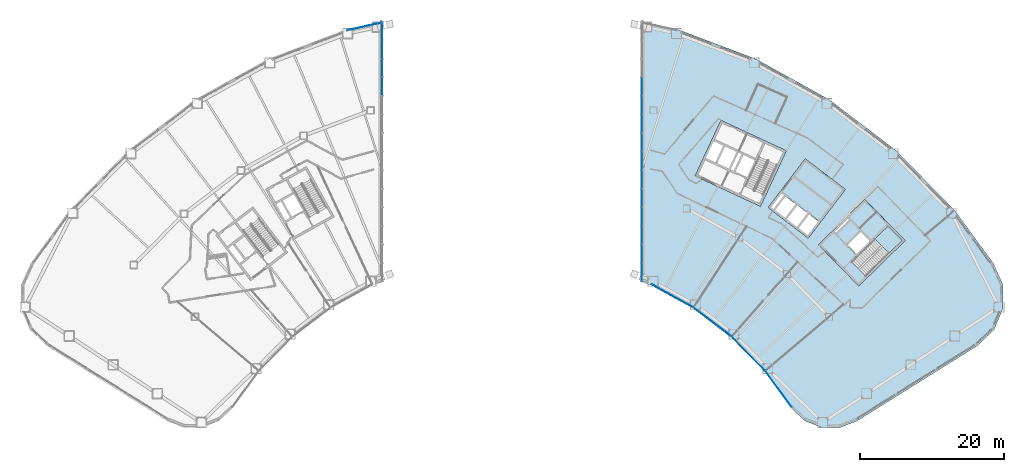
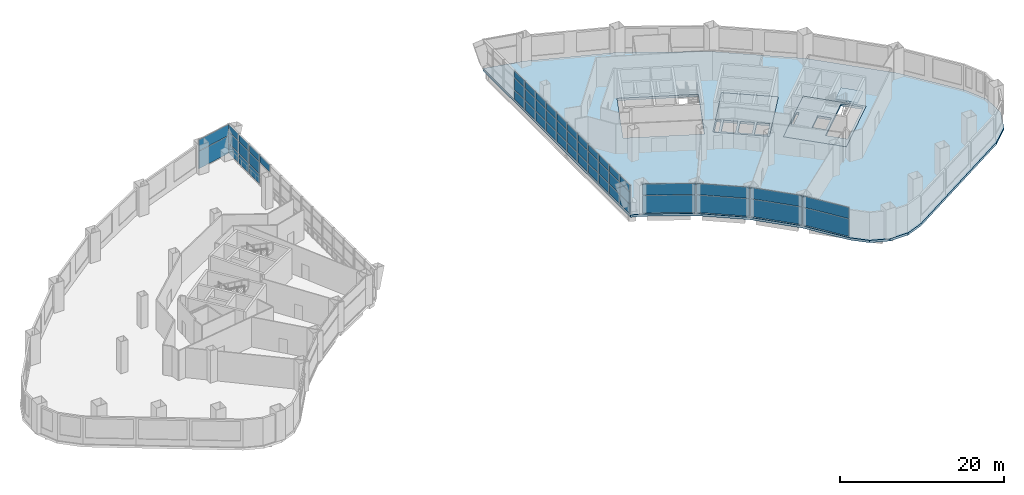
# One storey, part 17 of 26: 53 plates, 4 slabs, 14 elements without a shape of their own.
"""IFC4 building model written with IfcOpenShell, lengths in metres."""

from ifc_helpers import new_model, si_unit, direction, frame, origin, origin_2d, place, context, subcontext, project, spatial, polyline, rectangle, outline, extrude, material, layer, layer_set, type_object, element, aggregate, save


model = new_model("IFC4")

# Units and contexts
model_context = context("Model", 3, precision=1e-05, world=origin(), true_north=direction((0.0, 1.0)))
body_context = subcontext(model_context, "Body", "Model", "MODEL_VIEW")
ifc_project = project(units=[si_unit("LENGTHUNIT", "METRE"), si_unit("AREAUNIT", "SQUARE_METRE"), si_unit("VOLUMEUNIT", "CUBIC_METRE"), si_unit("PLANEANGLEUNIT", "RADIAN"), si_unit("MASSUNIT", "GRAM", prefix="KILO")], contexts=[model_context])

# Site, building, storey
site_placement = place(None, origin())
site = spatial("IfcSite", under=ifc_project, at=site_placement, CompositionType="ELEMENT")
building_placement = place(site_placement, origin())
building = spatial("IfcBuilding", under=site, at=building_placement, Name="Tuul Gate Civic Tower", CompositionType="ELEMENT")
storey_placement = place(building_placement, frame((0.0, 0.0, 7.5)))
storey = spatial("IfcBuildingStorey", under=building, at=storey_placement, Name="Level 01", CompositionType="ELEMENT", Elevation=7.5)

# Curtain wall, plates
ifc_material_1 = material(Name="Stainless steel", Category="steel")
ifc_layer_1 = layer(ifc_material_1, 0.199951171875)
ifc_layer_set_1 = layer_set([ifc_layer_1], Name="Stainless steel")
curtain_wall_type_1 = type_object("IfcCurtainWallType", Name="Curtain wall CW2", PredefinedType="NOTDEFINED", material=ifc_layer_set_1)
curtain_wall_1_placement = place(storey_placement, origin())
curtain_wall_1 = element("IfcCurtainWall", 1, at=curtain_wall_1_placement, inside=storey, type_object=curtain_wall_type_1, Name="Curtain wall CW2", PredefinedType="NOTDEFINED")
ifc_material_2 = material(Name="Laminated glass", Category="glass")
ifc_layer_2 = layer(ifc_material_2, 0.0439453125)
ifc_layer_set_2 = layer_set([ifc_layer_2], Name="Laminated glass")
plate_type_1 = type_object("IfcPlateType", Name="CW2 panel", PredefinedType="CURTAIN_PANEL", material=ifc_layer_set_2)
plate_1_placement = place(storey_placement, frame((-18.0, 9.259765625, 3.33984375), z_axis=(0.0, 0.0, 1.0), x_axis=(0.0, 1.0, 0.0)))
plate_1 = element("IfcPlate", 2, at=plate_1_placement, type_object=plate_type_1, Name="Panel", PredefinedType="CURTAIN_PANEL", context=body_context, shape_type="SweptSolid", body=[
    extrude(rectangle(XDim=2.458740234375, YDim=0.0439453125, at=origin_2d()), origin(), (0.0, 0.0, 1.0), 1.030029296875),
])
plate_2_placement = place(storey_placement, frame((-18.0, 11.79833984375, 0.080078125), z_axis=(0.0, 0.0, 1.0), x_axis=(0.0, 1.0, 0.0)))
plate_2 = element("IfcPlate", 3, at=plate_2_placement, type_object=plate_type_1, Name="Panel", PredefinedType="CURTAIN_PANEL", context=body_context, shape_type="SweptSolid", body=[
    extrude(rectangle(XDim=2.458740234375, YDim=0.0439453125, at=origin_2d()), origin(), (0.0, 0.0, 1.0), 1.3798828125),
])
plate_3_placement = place(storey_placement, frame((-18.0, 11.79833984375, 1.5400390625), z_axis=(0.0, 0.0, 1.0), x_axis=(0.0, 1.0, 0.0)))
plate_3 = element("IfcPlate", 4, at=plate_3_placement, type_object=plate_type_1, Name="Panel", PredefinedType="CURTAIN_PANEL", context=body_context, shape_type="SweptSolid", body=[
    extrude(rectangle(XDim=2.458740234375, YDim=0.0439453125, at=origin_2d()), origin(), (0.0, 0.0, 1.0), 1.719970703125),
])
plate_4_placement = place(storey_placement, frame((-18.0, 11.79833984375, 3.33984375), z_axis=(0.0, 0.0, 1.0), x_axis=(0.0, 1.0, 0.0)))
plate_4 = element("IfcPlate", 5, at=plate_4_placement, type_object=plate_type_1, Name="Panel", PredefinedType="CURTAIN_PANEL", context=body_context, shape_type="SweptSolid", body=[
    extrude(rectangle(XDim=2.458740234375, YDim=0.0439453125, at=origin_2d()), origin(), (0.0, 0.0, 1.0), 1.030029296875),
])
aggregate(curtain_wall_1, [plate_1, plate_2, plate_3, plate_4])

curtain_wall_2_placement = place(storey_placement, origin())
curtain_wall_2 = element("IfcCurtainWall", 6, at=curtain_wall_2_placement, inside=storey, type_object=curtain_wall_type_1, Name="Curtain wall CW2", PredefinedType="NOTDEFINED")
plate_5_placement = place(storey_placement, frame((-18.0, 14.4169921875, 0.080078125), z_axis=(0.0, 0.0, 1.0), x_axis=(0.0, 1.0, 0.0)))
plate_5 = element("IfcPlate", 7, at=plate_5_placement, type_object=plate_type_1, Name="Panel", PredefinedType="CURTAIN_PANEL", context=body_context, shape_type="SweptSolid", body=[
    extrude(rectangle(XDim=2.458740234375, YDim=0.0439453125, at=origin_2d()), origin(), (0.0, 0.0, 1.0), 1.3798828125),
])
plate_6_placement = place(storey_placement, frame((-18.0, 14.4169921875, 1.5400390625), z_axis=(0.0, 0.0, 1.0), x_axis=(0.0, 1.0, 0.0)))
plate_6 = element("IfcPlate", 8, at=plate_6_placement, type_object=plate_type_1, Name="Panel", PredefinedType="CURTAIN_PANEL", context=body_context, shape_type="SweptSolid", body=[
    extrude(rectangle(XDim=2.458740234375, YDim=0.0439453125, at=origin_2d()), origin(), (0.0, 0.0, 1.0), 1.719970703125),
])
plate_7_placement = place(storey_placement, frame((-18.0, 14.4169921875, 3.33984375), z_axis=(0.0, 0.0, 1.0), x_axis=(0.0, 1.0, 0.0)))
plate_7 = element("IfcPlate", 9, at=plate_7_placement, type_object=plate_type_1, Name="Panel", PredefinedType="CURTAIN_PANEL", context=body_context, shape_type="SweptSolid", body=[
    extrude(rectangle(XDim=2.458740234375, YDim=0.0439453125, at=origin_2d()), origin(), (0.0, 0.0, 1.0), 1.030029296875),
])
plate_8_placement = place(storey_placement, frame((-18.0, 16.95556640625, 0.080078125), z_axis=(0.0, 0.0, 1.0), x_axis=(0.0, 1.0, 0.0)))
plate_8 = element("IfcPlate", 10, at=plate_8_placement, type_object=plate_type_1, Name="Panel", PredefinedType="CURTAIN_PANEL", context=body_context, shape_type="SweptSolid", body=[
    extrude(rectangle(XDim=2.458740234375, YDim=0.0439453125, at=origin_2d()), origin(), (0.0, 0.0, 1.0), 1.3798828125),
])
plate_9_placement = place(storey_placement, frame((-18.0, 16.95556640625, 1.5400390625), z_axis=(0.0, 0.0, 1.0), x_axis=(0.0, 1.0, 0.0)))
plate_9 = element("IfcPlate", 11, at=plate_9_placement, type_object=plate_type_1, Name="Panel", PredefinedType="CURTAIN_PANEL", context=body_context, shape_type="SweptSolid", body=[
    extrude(rectangle(XDim=2.458740234375, YDim=0.0439453125, at=origin_2d()), origin(), (0.0, 0.0, 1.0), 1.719970703125),
])
plate_10_placement = place(storey_placement, frame((-18.0, 16.95556640625, 3.33984375), z_axis=(0.0, 0.0, 1.0), x_axis=(0.0, 1.0, 0.0)))
plate_10 = element("IfcPlate", 12, at=plate_10_placement, type_object=plate_type_1, Name="Panel", PredefinedType="CURTAIN_PANEL", context=body_context, shape_type="SweptSolid", body=[
    extrude(rectangle(XDim=2.458740234375, YDim=0.0439453125, at=origin_2d()), origin(), (0.0, 0.0, 1.0), 1.030029296875),
])
aggregate(curtain_wall_2, [plate_5, plate_6, plate_7, plate_8, plate_9, plate_10])

curtain_wall_3_placement = place(storey_placement, origin())
curtain_wall_3 = element("IfcCurtainWall", 13, at=curtain_wall_3_placement, inside=storey, type_object=curtain_wall_type_1, Name="Curtain wall CW2", PredefinedType="NOTDEFINED")
plate_11_placement = place(storey_placement, frame((18.0, -16.526611328125, 0.080078125), z_axis=(0.0, 0.0, 1.0), x_axis=(0.0, 1.0, 0.0)))
plate_11 = element("IfcPlate", 14, at=plate_11_placement, type_object=plate_type_1, Name="Panel", PredefinedType="CURTAIN_PANEL", context=body_context, shape_type="SweptSolid", body=[
    extrude(rectangle(XDim=2.458740234375, YDim=0.0439453125, at=origin_2d()), origin(), (0.0, 0.0, 1.0), 1.3798828125),
])
plate_12_placement = place(storey_placement, frame((18.0, -16.526611328125, 1.5400390625), z_axis=(0.0, 0.0, 1.0), x_axis=(0.0, 1.0, 0.0)))
plate_12 = element("IfcPlate", 15, at=plate_12_placement, type_object=plate_type_1, Name="Panel", PredefinedType="CURTAIN_PANEL", context=body_context, shape_type="SweptSolid", body=[
    extrude(rectangle(XDim=2.458740234375, YDim=0.0439453125, at=origin_2d()), origin(), (0.0, 0.0, 1.0), 1.719970703125),
])
plate_13_placement = place(storey_placement, frame((18.0, -16.526611328125, 3.33984375), z_axis=(0.0, 0.0, 1.0), x_axis=(0.0, 1.0, 0.0)))
plate_13 = element("IfcPlate", 16, at=plate_13_placement, type_object=plate_type_1, Name="Panel", PredefinedType="CURTAIN_PANEL", context=body_context, shape_type="SweptSolid", body=[
    extrude(rectangle(XDim=2.458740234375, YDim=0.0439453125, at=origin_2d()), origin(), (0.0, 0.0, 1.0), 1.030029296875),
])
plate_14_placement = place(storey_placement, frame((18.0, -13.988037109375, 0.080078125), z_axis=(0.0, 0.0, 1.0), x_axis=(0.0, 1.0, 0.0)))
plate_14 = element("IfcPlate", 17, at=plate_14_placement, type_object=plate_type_1, Name="Panel", PredefinedType="CURTAIN_PANEL", context=body_context, shape_type="SweptSolid", body=[
    extrude(rectangle(XDim=2.458740234375, YDim=0.0439453125, at=origin_2d()), origin(), (0.0, 0.0, 1.0), 1.3798828125),
])
plate_15_placement = place(storey_placement, frame((18.0, -13.988037109375, 1.5400390625), z_axis=(0.0, 0.0, 1.0), x_axis=(0.0, 1.0, 0.0)))
plate_15 = element("IfcPlate", 18, at=plate_15_placement, type_object=plate_type_1, Name="Panel", PredefinedType="CURTAIN_PANEL", context=body_context, shape_type="SweptSolid", body=[
    extrude(rectangle(XDim=2.458740234375, YDim=0.0439453125, at=origin_2d()), origin(), (0.0, 0.0, 1.0), 1.719970703125),
])
plate_16_placement = place(storey_placement, frame((18.0, -13.988037109375, 3.33984375), z_axis=(0.0, 0.0, 1.0), x_axis=(0.0, 1.0, 0.0)))
plate_16 = element("IfcPlate", 19, at=plate_16_placement, type_object=plate_type_1, Name="Panel", PredefinedType="CURTAIN_PANEL", context=body_context, shape_type="SweptSolid", body=[
    extrude(rectangle(XDim=2.458740234375, YDim=0.0439453125, at=origin_2d()), origin(), (0.0, 0.0, 1.0), 1.030029296875),
])
aggregate(curtain_wall_3, [plate_11, plate_12, plate_13, plate_14, plate_15, plate_16])

curtain_wall_4_placement = place(storey_placement, origin())
curtain_wall_4 = element("IfcCurtainWall", 20, at=curtain_wall_4_placement, inside=storey, type_object=curtain_wall_type_1, Name="Curtain wall CW2", PredefinedType="NOTDEFINED")
plate_17_placement = place(storey_placement, frame((18.0, -11.369384765625, 0.080078125), z_axis=(0.0, 0.0, 1.0), x_axis=(0.0, 1.0, 0.0)))
plate_17 = element("IfcPlate", 21, at=plate_17_placement, type_object=plate_type_1, Name="Panel", PredefinedType="CURTAIN_PANEL", context=body_context, shape_type="SweptSolid", body=[
    extrude(rectangle(XDim=2.458740234375, YDim=0.0439453125, at=origin_2d()), origin(), (0.0, 0.0, 1.0), 1.3798828125),
])
plate_18_placement = place(storey_placement, frame((18.0, -11.369384765625, 1.5400390625), z_axis=(0.0, 0.0, 1.0), x_axis=(0.0, 1.0, 0.0)))
plate_18 = element("IfcPlate", 22, at=plate_18_placement, type_object=plate_type_1, Name="Panel", PredefinedType="CURTAIN_PANEL", context=body_context, shape_type="SweptSolid", body=[
    extrude(rectangle(XDim=2.458740234375, YDim=0.0439453125, at=origin_2d()), origin(), (0.0, 0.0, 1.0), 1.719970703125),
])
plate_19_placement = place(storey_placement, frame((18.0, -11.369384765625, 3.33984375), z_axis=(0.0, 0.0, 1.0), x_axis=(0.0, 1.0, 0.0)))
plate_19 = element("IfcPlate", 23, at=plate_19_placement, type_object=plate_type_1, Name="Panel", PredefinedType="CURTAIN_PANEL", context=body_context, shape_type="SweptSolid", body=[
    extrude(rectangle(XDim=2.458740234375, YDim=0.0439453125, at=origin_2d()), origin(), (0.0, 0.0, 1.0), 1.030029296875),
])
plate_20_placement = place(storey_placement, frame((18.0, -8.830810546875, 0.080078125), z_axis=(0.0, 0.0, 1.0), x_axis=(0.0, 1.0, 0.0)))
plate_20 = element("IfcPlate", 24, at=plate_20_placement, type_object=plate_type_1, Name="Panel", PredefinedType="CURTAIN_PANEL", context=body_context, shape_type="SweptSolid", body=[
    extrude(rectangle(XDim=2.458740234375, YDim=0.0439453125, at=origin_2d()), origin(), (0.0, 0.0, 1.0), 1.3798828125),
])
plate_21_placement = place(storey_placement, frame((18.0, -8.830810546875, 1.5400390625), z_axis=(0.0, 0.0, 1.0), x_axis=(0.0, 1.0, 0.0)))
plate_21 = element("IfcPlate", 25, at=plate_21_placement, type_object=plate_type_1, Name="Panel", PredefinedType="CURTAIN_PANEL", context=body_context, shape_type="SweptSolid", body=[
    extrude(rectangle(XDim=2.458740234375, YDim=0.0439453125, at=origin_2d()), origin(), (0.0, 0.0, 1.0), 1.719970703125),
])
plate_22_placement = place(storey_placement, frame((18.0, -8.830810546875, 3.33984375), z_axis=(0.0, 0.0, 1.0), x_axis=(0.0, 1.0, 0.0)))
plate_22 = element("IfcPlate", 26, at=plate_22_placement, type_object=plate_type_1, Name="Panel", PredefinedType="CURTAIN_PANEL", context=body_context, shape_type="SweptSolid", body=[
    extrude(rectangle(XDim=2.458740234375, YDim=0.0439453125, at=origin_2d()), origin(), (0.0, 0.0, 1.0), 1.030029296875),
])
aggregate(curtain_wall_4, [plate_17, plate_18, plate_19, plate_20, plate_21, plate_22])

curtain_wall_5_placement = place(storey_placement, origin())
curtain_wall_5 = element("IfcCurtainWall", 27, at=curtain_wall_5_placement, inside=storey, type_object=curtain_wall_type_1, Name="Curtain wall CW2", PredefinedType="NOTDEFINED")
plate_23_placement = place(storey_placement, frame((18.0, -6.212158203125, 0.080078125), z_axis=(0.0, 0.0, 1.0), x_axis=(0.0, 1.0, 0.0)))
plate_23 = element("IfcPlate", 28, at=plate_23_placement, type_object=plate_type_1, Name="Panel", PredefinedType="CURTAIN_PANEL", context=body_context, shape_type="SweptSolid", body=[
    extrude(rectangle(XDim=2.458740234375, YDim=0.0439453125, at=origin_2d()), origin(), (0.0, 0.0, 1.0), 1.3798828125),
])
plate_24_placement = place(storey_placement, frame((18.0, -6.212158203125, 1.5400390625), z_axis=(0.0, 0.0, 1.0), x_axis=(0.0, 1.0, 0.0)))
plate_24 = element("IfcPlate", 29, at=plate_24_placement, type_object=plate_type_1, Name="Panel", PredefinedType="CURTAIN_PANEL", context=body_context, shape_type="SweptSolid", body=[
    extrude(rectangle(XDim=2.458740234375, YDim=0.0439453125, at=origin_2d()), origin(), (0.0, 0.0, 1.0), 1.719970703125),
])
plate_25_placement = place(storey_placement, frame((18.0, -6.212158203125, 3.33984375), z_axis=(0.0, 0.0, 1.0), x_axis=(0.0, 1.0, 0.0)))
plate_25 = element("IfcPlate", 30, at=plate_25_placement, type_object=plate_type_1, Name="Panel", PredefinedType="CURTAIN_PANEL", context=body_context, shape_type="SweptSolid", body=[
    extrude(rectangle(XDim=2.458740234375, YDim=0.0439453125, at=origin_2d()), origin(), (0.0, 0.0, 1.0), 1.030029296875),
])
plate_26_placement = place(storey_placement, frame((18.0, -3.673583984375, 0.080078125), z_axis=(0.0, 0.0, 1.0), x_axis=(0.0, 1.0, 0.0)))
plate_26 = element("IfcPlate", 31, at=plate_26_placement, type_object=plate_type_1, Name="Panel", PredefinedType="CURTAIN_PANEL", context=body_context, shape_type="SweptSolid", body=[
    extrude(rectangle(XDim=2.458740234375, YDim=0.0439453125, at=origin_2d()), origin(), (0.0, 0.0, 1.0), 1.3798828125),
])
plate_27_placement = place(storey_placement, frame((18.0, -3.673583984375, 1.5400390625), z_axis=(0.0, 0.0, 1.0), x_axis=(0.0, 1.0, 0.0)))
plate_27 = element("IfcPlate", 32, at=plate_27_placement, type_object=plate_type_1, Name="Panel", PredefinedType="CURTAIN_PANEL", context=body_context, shape_type="SweptSolid", body=[
    extrude(rectangle(XDim=2.458740234375, YDim=0.0439453125, at=origin_2d()), origin(), (0.0, 0.0, 1.0), 1.719970703125),
])
plate_28_placement = place(storey_placement, frame((18.0, -3.673583984375, 3.33984375), z_axis=(0.0, 0.0, 1.0), x_axis=(0.0, 1.0, 0.0)))
plate_28 = element("IfcPlate", 33, at=plate_28_placement, type_object=plate_type_1, Name="Panel", PredefinedType="CURTAIN_PANEL", context=body_context, shape_type="SweptSolid", body=[
    extrude(rectangle(XDim=2.458740234375, YDim=0.0439453125, at=origin_2d()), origin(), (0.0, 0.0, 1.0), 1.030029296875),
])
aggregate(curtain_wall_5, [plate_23, plate_24, plate_25, plate_26, plate_27, plate_28])

curtain_wall_6_placement = place(storey_placement, origin())
curtain_wall_6 = element("IfcCurtainWall", 34, at=curtain_wall_6_placement, inside=storey, type_object=curtain_wall_type_1, Name="Curtain wall CW2", PredefinedType="NOTDEFINED")
plate_29_placement = place(storey_placement, frame((18.0, -1.054931640625, 0.080078125), z_axis=(0.0, 0.0, 1.0), x_axis=(0.0, 1.0, 0.0)))
plate_29 = element("IfcPlate", 35, at=plate_29_placement, type_object=plate_type_1, Name="Panel", PredefinedType="CURTAIN_PANEL", context=body_context, shape_type="SweptSolid", body=[
    extrude(rectangle(XDim=2.458740234375, YDim=0.0439453125, at=origin_2d()), origin(), (0.0, 0.0, 1.0), 1.3798828125),
])
plate_30_placement = place(storey_placement, frame((18.0, -1.054931640625, 1.5400390625), z_axis=(0.0, 0.0, 1.0), x_axis=(0.0, 1.0, 0.0)))
plate_30 = element("IfcPlate", 36, at=plate_30_placement, type_object=plate_type_1, Name="Panel", PredefinedType="CURTAIN_PANEL", context=body_context, shape_type="SweptSolid", body=[
    extrude(rectangle(XDim=2.458740234375, YDim=0.0439453125, at=origin_2d()), origin(), (0.0, 0.0, 1.0), 1.719970703125),
])
plate_31_placement = place(storey_placement, frame((18.0, -1.054931640625, 3.33984375), z_axis=(0.0, 0.0, 1.0), x_axis=(0.0, 1.0, 0.0)))
plate_31 = element("IfcPlate", 37, at=plate_31_placement, type_object=plate_type_1, Name="Panel", PredefinedType="CURTAIN_PANEL", context=body_context, shape_type="SweptSolid", body=[
    extrude(rectangle(XDim=2.458740234375, YDim=0.0439453125, at=origin_2d()), origin(), (0.0, 0.0, 1.0), 1.030029296875),
])
plate_32_placement = place(storey_placement, frame((18.0, 1.48388671875, 0.080078125), z_axis=(0.0, 0.0, 1.0), x_axis=(0.0, 1.0, 0.0)))
plate_32 = element("IfcPlate", 38, at=plate_32_placement, type_object=plate_type_1, Name="Panel", PredefinedType="CURTAIN_PANEL", context=body_context, shape_type="SweptSolid", body=[
    extrude(rectangle(XDim=2.458740234375, YDim=0.0439453125, at=origin_2d()), origin(), (0.0, 0.0, 1.0), 1.3798828125),
])
plate_33_placement = place(storey_placement, frame((18.0, 1.48388671875, 1.5400390625), z_axis=(0.0, 0.0, 1.0), x_axis=(0.0, 1.0, 0.0)))
plate_33 = element("IfcPlate", 39, at=plate_33_placement, type_object=plate_type_1, Name="Panel", PredefinedType="CURTAIN_PANEL", context=body_context, shape_type="SweptSolid", body=[
    extrude(rectangle(XDim=2.458740234375, YDim=0.0439453125, at=origin_2d()), origin(), (0.0, 0.0, 1.0), 1.719970703125),
])
plate_34_placement = place(storey_placement, frame((18.0, 1.48388671875, 3.33984375), z_axis=(0.0, 0.0, 1.0), x_axis=(0.0, 1.0, 0.0)))
plate_34 = element("IfcPlate", 40, at=plate_34_placement, type_object=plate_type_1, Name="Panel", PredefinedType="CURTAIN_PANEL", context=body_context, shape_type="SweptSolid", body=[
    extrude(rectangle(XDim=2.458740234375, YDim=0.0439453125, at=origin_2d()), origin(), (0.0, 0.0, 1.0), 1.030029296875),
])
aggregate(curtain_wall_6, [plate_29, plate_30, plate_31, plate_32, plate_33, plate_34])

curtain_wall_7_placement = place(storey_placement, origin())
curtain_wall_7 = element("IfcCurtainWall", 41, at=curtain_wall_7_placement, inside=storey, type_object=curtain_wall_type_1, Name="Curtain wall CW2", PredefinedType="NOTDEFINED")
plate_35_placement = place(storey_placement, frame((18.0, 4.1025390625, 0.080078125), z_axis=(0.0, 0.0, 1.0), x_axis=(0.0, 1.0, 0.0)))
plate_35 = element("IfcPlate", 42, at=plate_35_placement, type_object=plate_type_1, Name="Panel", PredefinedType="CURTAIN_PANEL", context=body_context, shape_type="SweptSolid", body=[
    extrude(rectangle(XDim=2.458740234375, YDim=0.0439453125, at=origin_2d()), origin(), (0.0, 0.0, 1.0), 1.3798828125),
])
plate_36_placement = place(storey_placement, frame((18.0, 4.1025390625, 1.5400390625), z_axis=(0.0, 0.0, 1.0), x_axis=(0.0, 1.0, 0.0)))
plate_36 = element("IfcPlate", 43, at=plate_36_placement, type_object=plate_type_1, Name="Panel", PredefinedType="CURTAIN_PANEL", context=body_context, shape_type="SweptSolid", body=[
    extrude(rectangle(XDim=2.458740234375, YDim=0.0439453125, at=origin_2d()), origin(), (0.0, 0.0, 1.0), 1.719970703125),
])
plate_37_placement = place(storey_placement, frame((18.0, 4.1025390625, 3.33984375), z_axis=(0.0, 0.0, 1.0), x_axis=(0.0, 1.0, 0.0)))
plate_37 = element("IfcPlate", 44, at=plate_37_placement, type_object=plate_type_1, Name="Panel", PredefinedType="CURTAIN_PANEL", context=body_context, shape_type="SweptSolid", body=[
    extrude(rectangle(XDim=2.458740234375, YDim=0.0439453125, at=origin_2d()), origin(), (0.0, 0.0, 1.0), 1.030029296875),
])
plate_38_placement = place(storey_placement, frame((18.0, 6.64111328125, 0.080078125), z_axis=(0.0, 0.0, 1.0), x_axis=(0.0, 1.0, 0.0)))
plate_38 = element("IfcPlate", 45, at=plate_38_placement, type_object=plate_type_1, Name="Panel", PredefinedType="CURTAIN_PANEL", context=body_context, shape_type="SweptSolid", body=[
    extrude(rectangle(XDim=2.458740234375, YDim=0.0439453125, at=origin_2d()), origin(), (0.0, 0.0, 1.0), 1.3798828125),
])
plate_39_placement = place(storey_placement, frame((18.0, 6.64111328125, 1.5400390625), z_axis=(0.0, 0.0, 1.0), x_axis=(0.0, 1.0, 0.0)))
plate_39 = element("IfcPlate", 46, at=plate_39_placement, type_object=plate_type_1, Name="Panel", PredefinedType="CURTAIN_PANEL", context=body_context, shape_type="SweptSolid", body=[
    extrude(rectangle(XDim=2.458740234375, YDim=0.0439453125, at=origin_2d()), origin(), (0.0, 0.0, 1.0), 1.719970703125),
])
plate_40_placement = place(storey_placement, frame((18.0, 6.64111328125, 3.33984375), z_axis=(0.0, 0.0, 1.0), x_axis=(0.0, 1.0, 0.0)))
plate_40 = element("IfcPlate", 47, at=plate_40_placement, type_object=plate_type_1, Name="Panel", PredefinedType="CURTAIN_PANEL", context=body_context, shape_type="SweptSolid", body=[
    extrude(rectangle(XDim=2.458740234375, YDim=0.0439453125, at=origin_2d()), origin(), (0.0, 0.0, 1.0), 1.030029296875),
])
aggregate(curtain_wall_7, [plate_35, plate_36, plate_37, plate_38, plate_39, plate_40])

curtain_wall_8_placement = place(storey_placement, origin())
curtain_wall_8 = element("IfcCurtainWall", 48, at=curtain_wall_8_placement, inside=storey, type_object=curtain_wall_type_1, Name="Curtain wall CW2", PredefinedType="NOTDEFINED")
plate_41_placement = place(storey_placement, frame((18.0, 9.259765625, 0.080078125), z_axis=(0.0, 0.0, 1.0), x_axis=(0.0, 1.0, 0.0)))
plate_41 = element("IfcPlate", 49, at=plate_41_placement, type_object=plate_type_1, Name="Panel", PredefinedType="CURTAIN_PANEL", context=body_context, shape_type="SweptSolid", body=[
    extrude(rectangle(XDim=2.458740234375, YDim=0.0439453125, at=origin_2d()), origin(), (0.0, 0.0, 1.0), 1.3798828125),
])
plate_42_placement = place(storey_placement, frame((18.0, 9.259765625, 1.5400390625), z_axis=(0.0, 0.0, 1.0), x_axis=(0.0, 1.0, 0.0)))
plate_42 = element("IfcPlate", 50, at=plate_42_placement, type_object=plate_type_1, Name="Panel", PredefinedType="CURTAIN_PANEL", context=body_context, shape_type="SweptSolid", body=[
    extrude(rectangle(XDim=2.458740234375, YDim=0.0439453125, at=origin_2d()), origin(), (0.0, 0.0, 1.0), 1.719970703125),
])
plate_43_placement = place(storey_placement, frame((18.0, 9.259765625, 3.33984375), z_axis=(0.0, 0.0, 1.0), x_axis=(0.0, 1.0, 0.0)))
plate_43 = element("IfcPlate", 51, at=plate_43_placement, type_object=plate_type_1, Name="Panel", PredefinedType="CURTAIN_PANEL", context=body_context, shape_type="SweptSolid", body=[
    extrude(rectangle(XDim=2.458740234375, YDim=0.0439453125, at=origin_2d()), origin(), (0.0, 0.0, 1.0), 1.030029296875),
])
aggregate(curtain_wall_8, [plate_41, plate_42, plate_43])

ifc_material_3 = material(Name="Aluminium", Category="aluminium")
ifc_layer_3 = layer(ifc_material_3, 0.199951171875)
ifc_layer_set_3 = layer_set([ifc_layer_3], Name="Aluminium")
curtain_wall_type_2 = type_object("IfcCurtainWallType", Name="Curtain wall CW6", PredefinedType="NOTDEFINED", material=ifc_layer_set_3)
curtain_wall_9_placement = place(storey_placement, origin())
curtain_wall_9 = element("IfcCurtainWall", 52, at=curtain_wall_9_placement, inside=storey, type_object=curtain_wall_type_2, Name="Curtain wall CW6", PredefinedType="NOTDEFINED")
ifc_material_4 = material(Name="Insulated glass", Category="glass")
ifc_layer_4 = layer(ifc_material_4, 0.033935546875)
ifc_layer_set_4 = layer_set([ifc_layer_4], Name="Insulated glass")
plate_type_2 = type_object("IfcPlateType", Name="CW6 panel", PredefinedType="CURTAIN_PANEL", material=ifc_layer_set_4)
plate_44_placement = place(storey_placement, frame((-20.46044921875, 17.5693359375, 0.06005859375), z_axis=(0.0, 0.0, 1.0), x_axis=(-0.976568507005, -0.215206763662, 0.0)))
plate_44 = element("IfcPlate", 53, at=plate_44_placement, type_object=plate_type_2, Name="Panel", PredefinedType="CURTAIN_PANEL", context=body_context, shape_type="SweptSolid", body=[
    extrude(rectangle(XDim=4.919189453125, YDim=0.033935546875, at=origin_2d()), origin(), (0.0, 0.0, 1.0), 2.610107421875),
])
plate_45_placement = place(storey_placement, frame((-20.46044921875, 17.5693359375, 2.72998046875), z_axis=(0.0, 0.0, 1.0), x_axis=(-0.976568507005, -0.215206763662, 0.0)))
plate_45 = element("IfcPlate", 54, at=plate_45_placement, type_object=plate_type_2, Name="Panel", PredefinedType="CURTAIN_PANEL", context=body_context, shape_type="SweptSolid", body=[
    extrude(rectangle(XDim=4.919189453125, YDim=0.033935546875, at=origin_2d()), origin(), (0.0, 0.0, 1.0), 1.659912109375),
])
aggregate(curtain_wall_9, [plate_44, plate_45])

curtain_wall_10_placement = place(storey_placement, origin())
curtain_wall_10 = element("IfcCurtainWall", 55, at=curtain_wall_10_placement, inside=storey, type_object=curtain_wall_type_2, Name="Curtain wall CW6", PredefinedType="NOTDEFINED")
plate_46_placement = place(storey_placement, frame((22.279541015625, -19.806396484375, 0.06005859375), z_axis=(0.0, 0.0, 1.0), x_axis=(0.87466693756, -0.484724404523, 0.0)))
plate_46 = element("IfcPlate", 56, at=plate_46_placement, type_object=plate_type_2, Name="Panel", PredefinedType="CURTAIN_PANEL", context=body_context, shape_type="SweptSolid", body=[
    extrude(rectangle(XDim=6.537353515625, YDim=0.033935546875, at=origin_2d()), origin(), (0.0, 0.0, 1.0), 2.610107421875),
])
plate_47_placement = place(storey_placement, frame((22.279541015625, -19.806396484375, 2.72998046875), z_axis=(0.0, 0.0, 1.0), x_axis=(0.87466693756, -0.484724404523, 0.0)))
plate_47 = element("IfcPlate", 57, at=plate_47_placement, type_object=plate_type_2, Name="Panel", PredefinedType="CURTAIN_PANEL", context=body_context, shape_type="SweptSolid", body=[
    extrude(rectangle(XDim=6.537353515625, YDim=0.033935546875, at=origin_2d()), origin(), (0.0, 0.0, 1.0), 1.659912109375),
])
aggregate(curtain_wall_10, [plate_46, plate_47])

curtain_wall_11_placement = place(storey_placement, origin())
curtain_wall_11 = element("IfcCurtainWall", 58, at=curtain_wall_11_placement, inside=storey, type_object=curtain_wall_type_2, Name="Curtain wall CW6", PredefinedType="NOTDEFINED")
plate_48_placement = place(storey_placement, frame((27.839599609375, -23.4365234375, 0.06005859375), z_axis=(0.0, 0.0, 1.0), x_axis=(0.795635109048, -0.605776174218, 0.0)))
plate_48 = element("IfcPlate", 59, at=plate_48_placement, type_object=plate_type_2, Name="Panel", PredefinedType="CURTAIN_PANEL", context=body_context, shape_type="SweptSolid", body=[
    extrude(rectangle(XDim=6.53759765625, YDim=0.033935546875, at=origin_2d()), origin(), (0.0, 0.0, 1.0), 2.610107421875),
])
plate_49_placement = place(storey_placement, frame((27.839599609375, -23.4365234375, 2.72998046875), z_axis=(0.0, 0.0, 1.0), x_axis=(0.795635109048, -0.605776174218, 0.0)))
plate_49 = element("IfcPlate", 60, at=plate_49_placement, type_object=plate_type_2, Name="Panel", PredefinedType="CURTAIN_PANEL", context=body_context, shape_type="SweptSolid", body=[
    extrude(rectangle(XDim=6.53759765625, YDim=0.033935546875, at=origin_2d()), origin(), (0.0, 0.0, 1.0), 1.659912109375),
])
aggregate(curtain_wall_11, [plate_48, plate_49])

curtain_wall_12_placement = place(storey_placement, origin())
curtain_wall_12 = element("IfcCurtainWall", 61, at=curtain_wall_12_placement, inside=storey, type_object=curtain_wall_type_2, Name="Curtain wall CW6", PredefinedType="NOTDEFINED")
plate_50_placement = place(storey_placement, frame((32.818115234375, -27.830078125, 0.06005859375), z_axis=(0.0, 0.0, 1.0), x_axis=(0.700011333423, -0.714131733701, 0.0)))
plate_50 = element("IfcPlate", 62, at=plate_50_placement, type_object=plate_type_2, Name="Panel", PredefinedType="CURTAIN_PANEL", context=body_context, shape_type="SweptSolid", body=[
    extrude(rectangle(XDim=6.537109375, YDim=0.033935546875, at=origin_2d()), origin(), (0.0, 0.0, 1.0), 2.610107421875),
])
plate_51_placement = place(storey_placement, frame((32.818115234375, -27.830078125, 2.72998046875), z_axis=(0.0, 0.0, 1.0), x_axis=(0.700011333423, -0.714131733701, 0.0)))
plate_51 = element("IfcPlate", 63, at=plate_51_placement, type_object=plate_type_2, Name="Panel", PredefinedType="CURTAIN_PANEL", context=body_context, shape_type="SweptSolid", body=[
    extrude(rectangle(XDim=6.537109375, YDim=0.033935546875, at=origin_2d()), origin(), (0.0, 0.0, 1.0), 1.659912109375),
])
aggregate(curtain_wall_12, [plate_50, plate_51])

curtain_wall_13_placement = place(storey_placement, origin())
curtain_wall_13 = element("IfcCurtainWall", 64, at=curtain_wall_13_placement, inside=storey, type_object=curtain_wall_type_2, Name="Curtain wall CW6", PredefinedType="NOTDEFINED")
plate_52_placement = place(storey_placement, frame((36.994384765625, -32.735595703125, 0.06005859375), z_axis=(0.0, 0.0, 1.0), x_axis=(0.589756302404, -0.807581267597, 0.0)))
plate_52 = element("IfcPlate", 65, at=plate_52_placement, type_object=plate_type_2, Name="Panel", PredefinedType="CURTAIN_PANEL", context=body_context, shape_type="SweptSolid", body=[
    extrude(rectangle(XDim=6.141845703125, YDim=0.033935546875, at=origin_2d()), origin(), (0.0, 0.0, 1.0), 2.610107421875),
])
plate_53_placement = place(storey_placement, frame((36.994384765625, -32.735595703125, 2.72998046875), z_axis=(0.0, 0.0, 1.0), x_axis=(0.589756302404, -0.807581267597, 0.0)))
plate_53 = element("IfcPlate", 66, at=plate_53_placement, type_object=plate_type_2, Name="Panel", PredefinedType="CURTAIN_PANEL", context=body_context, shape_type="SweptSolid", body=[
    extrude(rectangle(XDim=6.141845703125, YDim=0.033935546875, at=origin_2d()), origin(), (0.0, 0.0, 1.0), 1.659912109375),
])
aggregate(curtain_wall_13, [plate_52, plate_53])

# Slabs
ifc_material_5 = material(Name="Concrete C40/50", Category="concrete")
ifc_layer_5 = layer(ifc_material_5, 0.35009765625)
ifc_layer_set_5 = layer_set([ifc_layer_5], Name="Concrete C40/50")
slab_type_1 = type_object("IfcSlabType", Name="Core floor slab 350", PredefinedType="FLOOR", material=ifc_layer_set_5)
slab_1_placement = place(storey_placement, frame((0.0, 0.0, -0.35009765625)))
element("IfcSlab", 67, at=slab_1_placement, inside=storey, type_object=slab_type_1, Name="FLOOR SLAB", PredefinedType="FLOOR", context=body_context, shape_type="SweptSolid", body=[
    extrude(outline(polyline([(48.117919921875, -18.43310546875), (54.545166015625, -12.1328125), (48.945068359375, -6.419921875), (42.517822265625, -12.719970703125), (48.117919921875, -18.43310546875)]), holes=[polyline([(47.808837890625, -13.974853515625), (49.6298828125, -12.18994140625), (48.40478515625, -10.940185546875), (46.583984375, -12.72509765625), (47.808837890625, -13.974853515625)]), polyline([(44.93896484375, -11.046875), (46.760009765625, -9.261962890625), (46.514892578125, -9.011962890625), (44.69384765625, -10.797119140625), (44.93896484375, -11.046875)]), polyline([(49.086181640625, -17.062744140625), (47.12744140625, -15.064208984375), (52.160888671875, -10.130126953125), (54.11962890625, -12.128662109375), (49.086181640625, -17.062744140625)])]), origin(), (0.0, 0.0, 1.0), 0.35009765625),
])
ifc_material_6 = material(Name="Concrete C40/50", Category="concrete")
ifc_layer_6 = layer(ifc_material_6, 0.35009765625)
ifc_layer_set_6 = layer_set([ifc_layer_6], Name="Concrete C40/50")
slab_type_2 = type_object("IfcSlabType", Name="Core floor slab 350 non-bearing", PredefinedType="FLOOR", material=ifc_layer_set_6)
slab_2_placement = place(storey_placement, frame((0.0, 0.0, -0.35009765625)))
element("IfcSlab", 68, at=slab_2_placement, inside=storey, type_object=slab_type_2, Name="FLOOR SLAB", PredefinedType="FLOOR", context=body_context, shape_type="SweptSolid", body=[
    extrude(outline(polyline([(41.10107421875, -11.797119140625), (46.25, -5.033935546875), (40.680908203125, -0.79296875), (35.531982421875, -7.555908203125), (41.10107421875, -11.797119140625)]), holes=[polyline([(41.044189453125, -11.37646484375), (42.497802734375, -9.467041015625), (41.22509765625, -8.49755859375), (39.77099609375, -10.4072265625), (41.044189453125, -11.37646484375)]), polyline([(39.532470703125, -10.225341796875), (40.986328125, -8.31591796875), (39.593994140625, -7.255615234375), (38.14013671875, -9.165283203125), (39.532470703125, -10.225341796875)]), polyline([(37.901611328125, -8.9833984375), (39.35546875, -7.073974609375), (37.963134765625, -6.013671875), (36.50927734375, -7.923095703125), (37.901611328125, -8.9833984375)]), polyline([(36.1796875, -7.860595703125), (37.724609375, -5.831787109375), (37.286865234375, -5.49853515625), (35.7421875, -7.527587890625), (36.1796875, -7.860595703125)])]), origin(), (0.0, 0.0, 1.0), 0.35009765625),
])

# Stair, slab
ifc_material_7 = material(Name="Concrete C40/50", Category="concrete")
stair_type = type_object("IfcStairType", Name="Exit stair", PredefinedType="HALF_TURN_STAIR", material=ifc_material_7)
stair_placement = place(storey_placement, origin())
stair = element("IfcStair", 69, at=stair_placement, inside=storey, type_object=stair_type, Name="Level 01 ST-3", PredefinedType="HALF_TURN_STAIR")
ifc_material_8 = material(Name="Concrete C40/50", Category="concrete")
ifc_layer_7 = layer(ifc_material_8, 0.199951171875)
ifc_layer_set_7 = layer_set([ifc_layer_7], Name="Concrete C40/50")
slab_type_3 = type_object("IfcSlabType", Name="Exit stair landing", PredefinedType="LANDING", material=ifc_layer_set_7)
slab_3_placement = place(storey_placement, frame((0.0, 0.0, 2.199951171875)))
slab_3 = element("IfcSlab", 70, at=slab_3_placement, type_object=slab_type_3, Name="ST-3 landing 1", PredefinedType="LANDING", context=body_context, shape_type="SweptSolid", body=[
    extrude(outline(polyline([(52.2998046875, -13.914794921875), (50.338623046875, -11.9140625), (52.160888671875, -10.1279296875), (54.1220703125, -12.128662109375), (52.2998046875, -13.914794921875)])), origin(), (0.0, 0.0, 1.0), 0.199951171875),
])
aggregate(stair, [slab_3])

# Slab
ifc_material_9 = material(Name="Concrete C35/45", Category="concrete")
ifc_layer_8 = layer(ifc_material_9, 0.35009765625)
ifc_layer_set_8 = layer_set([ifc_layer_8], Name="Concrete C35/45")
slab_type_4 = type_object("IfcSlabType", Name="STR-FLOOR-SLAB-350", PredefinedType="FLOOR", material=ifc_layer_set_8)
slab_4_placement = place(storey_placement, frame((0.0, 0.0, -0.35009765625)))
element("IfcSlab", 71, at=slab_4_placement, inside=storey, type_object=slab_type_4, Name="Level 01/slab/E", PredefinedType="FLOOR", context=body_context, shape_type="SweptSolid", body=[
    extrude(outline(polyline([(33.844970703125, 13.056884765625), (22.964111328125, 17.1708984375), (18.0, 18.264892578125), (18.0, -17.8359375), (19.304931640625, -18.3291015625), (25.10888671875, -21.5458984375), (30.387939453125, -25.56591796875), (35.032958984375, -30.304931640625), (38.763916015625, -35.4130859375), (40.613037109375, -37.14404296875), (42.967041015625, -38.0791015625), (45.4990234375, -38.087890625), (47.85888671875, -37.1689453125), (64.535888671875, -26.7490234375), (66.89208984375, -24.490966796875), (68.15087890625, -21.48095703125), (68.10302734375, -18.218017578125), (66.757080078125, -15.24609375), (61.419921875, -7.93896484375), (53.27587890625, 0.368896484375), (44.02001953125, 7.4169921875), (33.844970703125, 13.056884765625)]), holes=[polyline([(42.51806640625, -12.719970703125), (48.945068359375, -6.419921875), (54.544921875, -12.133056640625), (48.117919921875, -18.43310546875), (42.51806640625, -12.719970703125)]), polyline([(41.10107421875, -11.797119140625), (35.531982421875, -7.555908203125), (40.680908203125, -0.79296875), (46.25, -5.033935546875), (41.10107421875, -11.797119140625)]), polyline([(25.402099609375, -3.159912109375), (28.993896484375, 4.5439453125), (38.056884765625, 0.318115234375), (34.465087890625, -7.385986328125), (25.402099609375, -3.159912109375)])]), origin(), (0.0, 0.0, 1.0), 0.35009765625),
])

save(model, "model.ifc")
